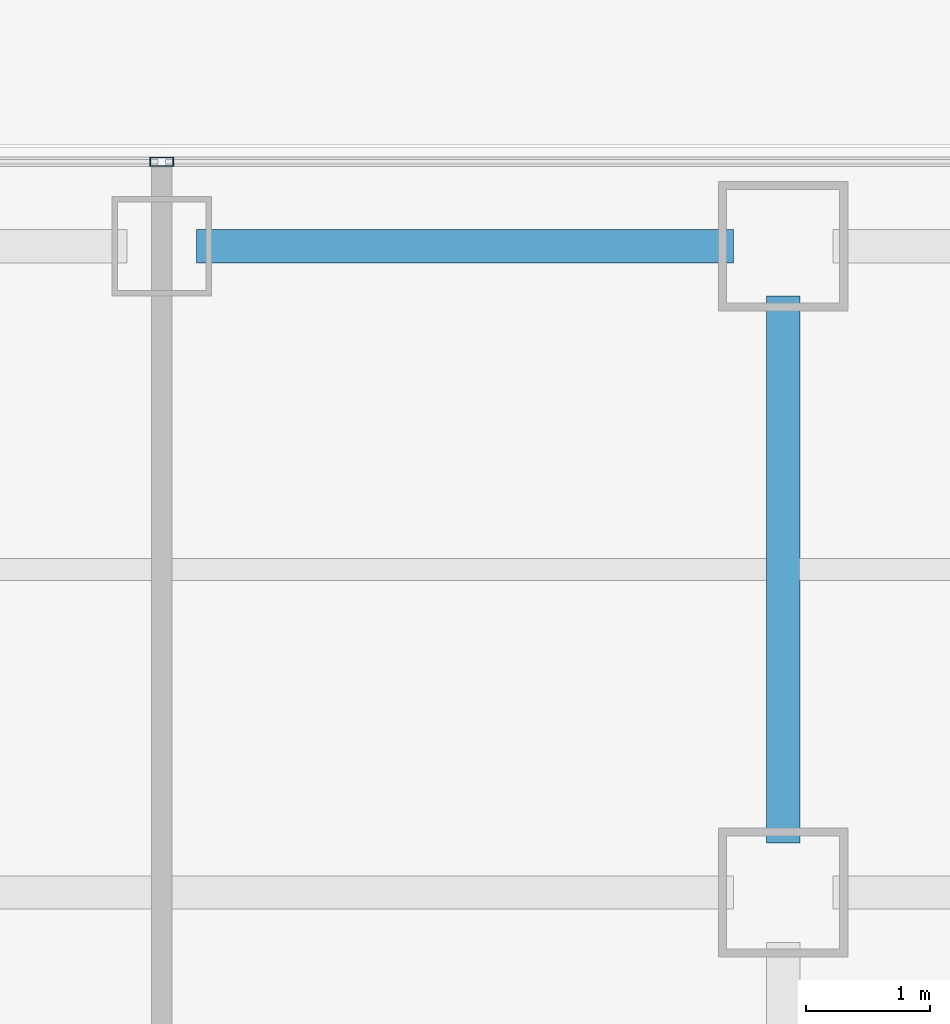
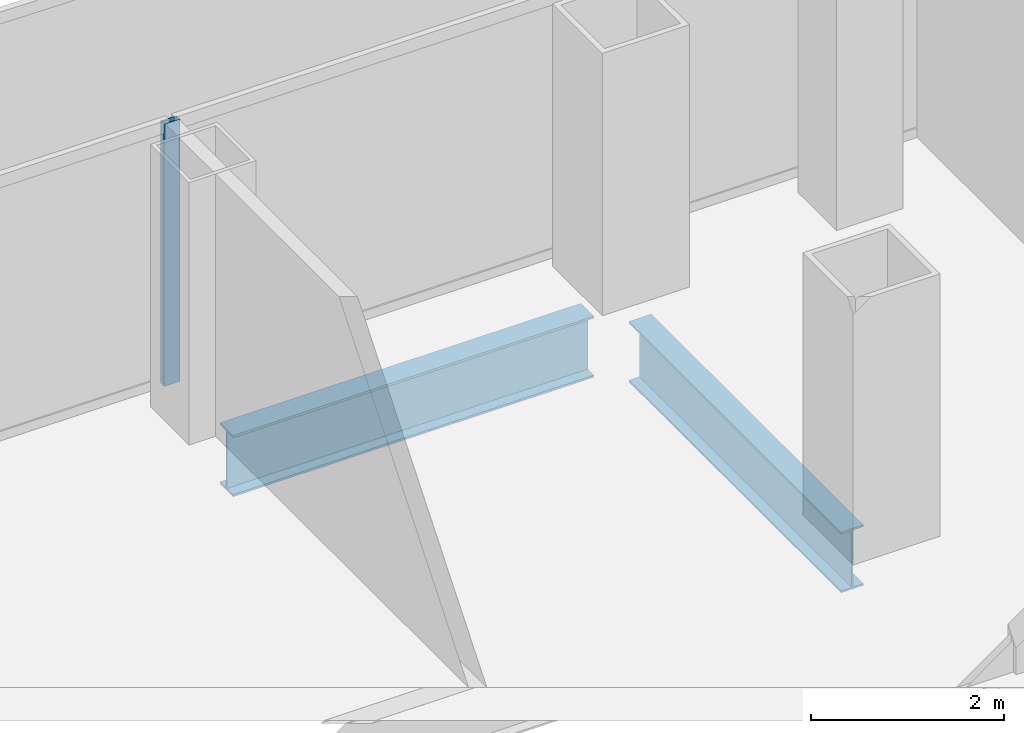
# One storey, part 13 of 21: 2 beams, 1 member, 1 element without a shape of its own.
"""IFC4 building model written with IfcOpenShell, lengths in metres."""

from ifc_helpers import new_model, si_unit, direction, frame, origin, origin_2d, place, context, subcontext, project, spatial, hollow_rectangle, i_section, extrude, source, transform, mapped, material, layer, layer_set, material_profile, profile_set, type_object, element, aggregate, save


model = new_model("IFC4")

# Units and contexts
model_context = context("Model", 3, precision=1e-05, world=origin(), true_north=direction((0.0, 1.0)))
body_context = subcontext(model_context, "Body", "Model", "MODEL_VIEW")
ifc_project = project(units=[si_unit("LENGTHUNIT", "METRE"), si_unit("AREAUNIT", "SQUARE_METRE"), si_unit("VOLUMEUNIT", "CUBIC_METRE"), si_unit("PLANEANGLEUNIT", "RADIAN"), si_unit("MASSUNIT", "GRAM", prefix="KILO")], contexts=[model_context])

# Site, building, storey
site_placement = place(None, origin())
site = spatial("IfcSite", under=ifc_project, at=site_placement, CompositionType="ELEMENT")
building_placement = place(site_placement, origin())
building = spatial("IfcBuilding", under=site, at=building_placement, Name="Kolveth Station Tower", CompositionType="ELEMENT")
storey_placement = place(building_placement, frame((0.0, 0.0, 40.5)))
storey = spatial("IfcBuildingStorey", under=building, at=storey_placement, Name="L10", CompositionType="ELEMENT", Elevation=40.5)

# Beams
ifc_material_1 = material(Name="Steel S355", Category="steel")
ifc_material_profile_1 = material_profile(ifc_material_1, i_section(OverallWidth=0.26904296875, OverallDepth=0.77490234375, WebThickness=0.01708984375, FlangeThickness=0.0283203125, at=origin_2d()), Name="W760x220")
ifc_profile_set_1 = profile_set([ifc_material_profile_1], Name="Steel S355")
beam_type_1 = type_object("IfcBeamType", Name="Beam_SP1", PredefinedType="SPANDREL", material=ifc_profile_set_1)
shared_shape_1 = source(origin(), body_context, "Body", "SweptSolid", [
    extrude(i_section(OverallWidth=0.26904296875, OverallDepth=0.77490234375, WebThickness=0.01708984375, FlangeThickness=0.0283203125, at=origin_2d()), origin(), (0.0, 0.0, 1.0), 4.320068359375),
])
beam_1_placement = place(storey_placement, frame((23.780029296875, 39.699951171875, -0.66748046875), z_axis=(1.0, 0.0, 0.0), x_axis=(0.0, 1.0, 0.0)))
element("IfcBeam", 1, at=beam_1_placement, inside=storey, type_object=beam_type_1, Name="L10 Perimeter Spandrel BM-L10-PN-6", PredefinedType="SPANDREL", context=body_context, shape_type="MappedRepresentation", body=[
    mapped(shared_shape_1, transform((0.0, 0.0, 0.0), x_axis=(1.0, 0.0, 0.0), y_axis=(0.0, 1.0, 0.0), z_axis=(0.0, 0.0, 1.0), scale=1.0)),
])
ifc_material_profile_2 = material_profile(ifc_material_1, i_section(OverallWidth=0.26708984375, OverallDepth=0.76611328125, WebThickness=0.014892578125, FlangeThickness=0.023681640625, at=origin_2d()), Name="W760x185")
ifc_profile_set_2 = profile_set([ifc_material_profile_2], Name="Steel S355")
beam_type_2 = type_object("IfcBeamType", Name="Beam_B3", PredefinedType="BEAM", material=ifc_profile_set_2)
shared_shape_2 = source(origin(), body_context, "Body", "SweptSolid", [
    extrude(i_section(OverallWidth=0.26708984375, OverallDepth=0.76611328125, WebThickness=0.014892578125, FlangeThickness=0.023681640625, at=origin_2d()), origin(), (0.0, 0.0, 1.0), 4.400146484375),
])
beam_2_placement = place(storey_placement, frame((28.5, 34.89990234375, -0.6630859375), z_axis=(0.0, 1.0, 0.0), x_axis=(-1.0, 0.0, 0.0)))
element("IfcBeam", 2, at=beam_2_placement, inside=storey, type_object=beam_type_2, Name="L10 Primary Girder BM-L10-GX285-7", PredefinedType="BEAM", context=body_context, shape_type="MappedRepresentation", body=[
    mapped(shared_shape_2, transform((0.0, 0.0, 0.0), x_axis=(1.0, 0.0, 0.0), y_axis=(0.0, 1.0, 0.0), z_axis=(0.0, 0.0, 1.0), scale=1.0)),
])

# Curtain wall, member
ifc_material_2 = material(Name="Aluminium 6063-T6 and low-E dark glass", Category="aluminium")
ifc_layer = layer(ifc_material_2, 0.179931640625)
ifc_layer_set = layer_set([ifc_layer], Name="Aluminium 6063-T6 and low-E dark glass")
curtain_wall_type = type_object("IfcCurtainWallType", Name="CurtainWall_CW-Z1", PredefinedType="NOTDEFINED", material=ifc_layer_set)
curtain_wall_placement = place(storey_placement, origin())
curtain_wall = element("IfcCurtainWall", 3, at=curtain_wall_placement, inside=storey, type_object=curtain_wall_type, Name="L10 Inner Thermal Curtain Wall 6", PredefinedType="NOTDEFINED")
ifc_material_3 = material(Name="Black anodized aluminium 6063-T6", Category="aluminium")
ifc_material_profile_3 = material_profile(ifc_material_3, hollow_rectangle(XDim=0.074951171875, YDim=0.18994140625, WallThickness=0.0048828125, at=origin_2d()), Name="ALU-75x190x5")
ifc_profile_set_3 = profile_set([ifc_material_profile_3], Name="Black anodized aluminium 6063-T6")
member_type = type_object("IfcMemberType", Name="Mullion_ML1", PredefinedType="MULLION", material=ifc_profile_set_3)
shared_shape_3 = source(origin(), body_context, "Body", "SweptSolid", [
    extrude(hollow_rectangle(XDim=0.074951171875, YDim=0.18994140625, WallThickness=0.0048828125, at=origin_2d()), origin(), (0.0, 0.0, 1.0), 3.320068359375),
])
member_placement = place(storey_placement, frame((23.5, 40.3798828125, 0.0), z_axis=(0.0, 0.0, 1.0), x_axis=(0.0, -1.0, 0.0)))
member = element("IfcMember", 4, at=member_placement, type_object=member_type, Name="CW-Z1 mullion 2", PredefinedType="MULLION", context=body_context, shape_type="MappedRepresentation", body=[
    mapped(shared_shape_3, transform((0.0, 0.0, 0.0), x_axis=(1.0, 0.0, 0.0), y_axis=(0.0, 1.0, 0.0), z_axis=(0.0, 0.0, 1.0), scale=1.0)),
])
aggregate(curtain_wall, [member])

save(model, "model.ifc")
